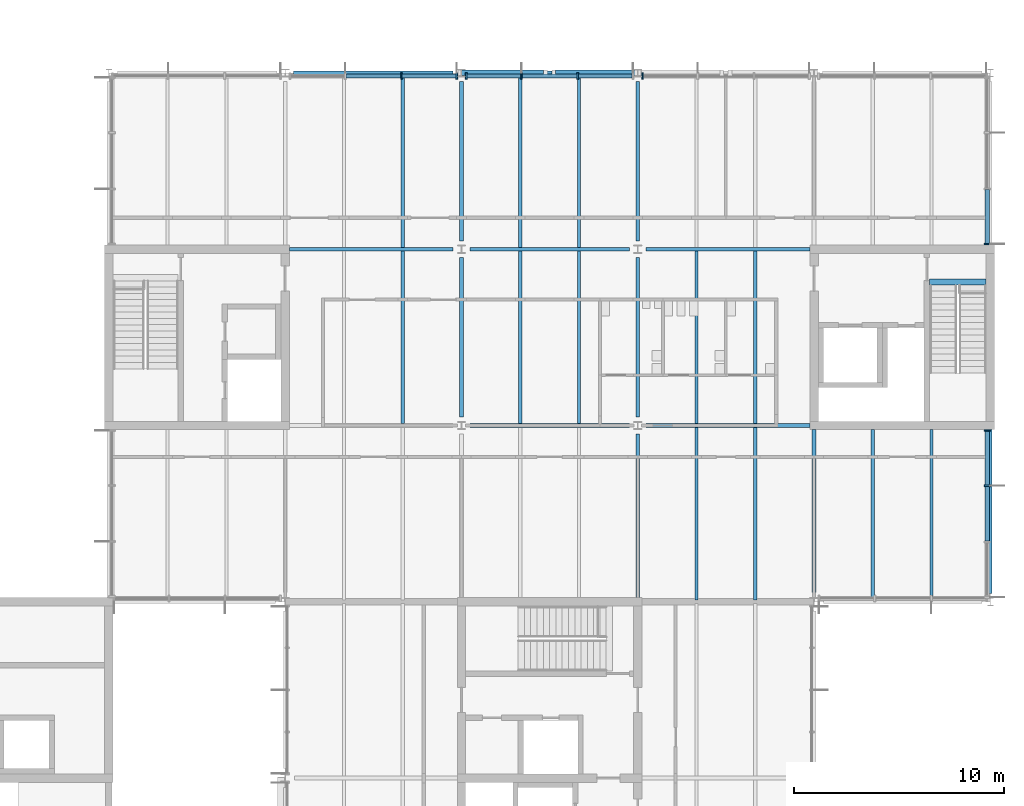
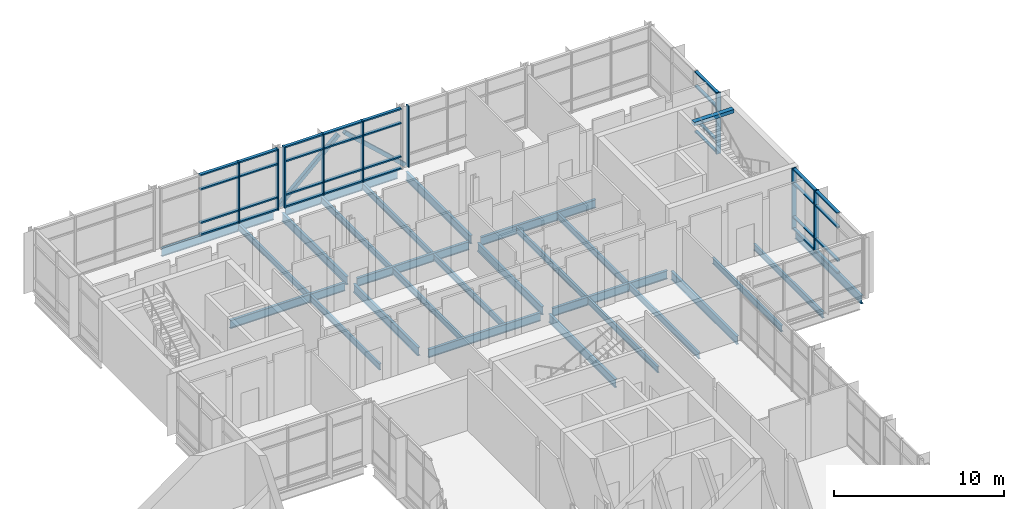
# One storey, part 34 of 89: 43 members, 27 beams, 5 elements without a shape of their own.
"""IFC4 building model written with IfcOpenShell, lengths in metres."""

from ifc_helpers import new_model, si_unit, direction, frame, origin, origin_2d, place, context, subcontext, project, spatial, rectangle, hollow_rectangle, i_section, extrude, material, material_profile, profile_set, type_object, element, aggregate, save


model = new_model("IFC4")

# Units and contexts
model_context = context("Model", 3, precision=1e-05, world=origin(), true_north=direction((0.0, 1.0)))
body_context = subcontext(model_context, "Body", "Model", "MODEL_VIEW")
ifc_project = project(units=[si_unit("LENGTHUNIT", "METRE"), si_unit("AREAUNIT", "SQUARE_METRE"), si_unit("VOLUMEUNIT", "CUBIC_METRE"), si_unit("PLANEANGLEUNIT", "RADIAN"), si_unit("MASSUNIT", "GRAM", prefix="KILO")], contexts=[model_context])

# Site, building, storey
site_placement = place(None, origin())
site = spatial("IfcSite", under=ifc_project, at=site_placement, CompositionType="ELEMENT")
building_placement = place(site_placement, origin())
building = spatial("IfcBuilding", under=site, at=building_placement, Name="Hlaing Beacon Police Headquarters", CompositionType="ELEMENT")
storey_placement = place(building_placement, frame((0.0, 0.0, 9.89990234375)))
storey = spatial("IfcBuildingStorey", under=building, at=storey_placement, Name="L02", CompositionType="ELEMENT", Elevation=9.89990234375)

# Members
ifc_material_1 = material(Name="Steel ASTM A500 Grade C", Category="steel")
ifc_material_profile_1 = material_profile(ifc_material_1, hollow_rectangle(XDim=0.25390625, YDim=0.25390625, WallThickness=0.0126953125, at=origin_2d()), Name="HSS10x10x1/2")
ifc_profile_set_1 = profile_set([ifc_material_profile_1], Name="Steel ASTM A500 Grade C")
member_type_1 = type_object("IfcMemberType", Name="Chevron brace HSS10x10x1/2", PredefinedType="BRACE", material=ifc_profile_set_1)
for number, where, z_axis, x_axis, name in (
    (1, (109.125, 92.39990234375, 0.093994140625), (0.736364351183, 0.0, 0.676585206982), (0.0, 1.0, 0.0), "STR-BR-L02-12Pa"),
    (2, (117.675048828125, 92.39990234375, 0.093994140625), (-0.736364351183, 0.0, 0.676585206982), (0.0, -1.0, 0.0), "STR-BR-L02-12Pb"),
):
    element("IfcMember", number, at=place(storey_placement, frame(where, z_axis=z_axis, x_axis=x_axis)), inside=storey, type_object=member_type_1, Name=name, PredefinedType="BRACE", context=body_context, shape_type="SweptSolid", body=[
        extrude(hollow_rectangle(XDim=0.25390625, YDim=0.25390625, WallThickness=0.0126953125, at=origin_2d()), origin(), (0.0, 0.0, 1.0), 5.533935546875),
    ])

# Beams
ifc_material_2 = material(Name="Steel ASTM A992 Grade 50", Category="steel")
ifc_material_profile_2 = material_profile(ifc_material_2, i_section(OverallWidth=0.177978515625, OverallDepth=0.599365234375, WebThickness=0.010009765625, FlangeThickness=0.012939453125, FilletRadius=0.012939453125, at=origin_2d()), Name="W24x55")
ifc_profile_set_2 = profile_set([ifc_material_profile_2], Name="Steel ASTM A992 Grade 50")
beam_type_1 = type_object("IfcBeamType", Name="Girder W24x55", PredefinedType="BEAM", material=ifc_profile_set_2)
beam_1_placement = place(storey_placement, frame((109.60009765625, 75.60009765625, -0.4296875), z_axis=(1.0, 0.0, 0.0), x_axis=(0.0, 1.0, 0.0)))
element("IfcBeam", 3, at=beam_1_placement, inside=storey, type_object=beam_type_1, Name="STR-BM-L02-GX-P10-Q10", PredefinedType="BEAM", context=body_context, shape_type="SweptSolid", body=[
    extrude(i_section(OverallWidth=0.177978515625, OverallDepth=0.599365234375, WebThickness=0.010009765625, FlangeThickness=0.012939453125, FilletRadius=0.012939453125, at=origin_2d()), origin(), (0.0, 0.0, 1.0), 7.599853515625),
])
for number, where, z_axis, x_axis, name in (
    (4, (118.0, 75.60009765625, -0.4296875), (1.0, 0.0, 0.0), (0.0, 1.0, 0.0), "STR-BM-L02-GX-Q10-R10"),
    (5, (101.0, 84.0, -0.4296875), (1.0, 0.0, 0.0), (0.0, 1.0, 0.0), "STR-BM-L02-GX-N11-P11"),
):
    element("IfcBeam", number, at=place(storey_placement, frame(where, z_axis=z_axis, x_axis=x_axis)), inside=storey, type_object=beam_type_1, Name=name, PredefinedType="BEAM", context=body_context, shape_type="SweptSolid", body=[
        extrude(i_section(OverallWidth=0.177978515625, OverallDepth=0.599365234375, WebThickness=0.010009765625, FlangeThickness=0.012939453125, FilletRadius=0.012939453125, at=origin_2d()), origin(), (0.0, 0.0, 1.0), 7.800048828125),
    ])
beam_2_placement = place(storey_placement, frame((109.60009765625, 84.0, -0.4296875), z_axis=(1.0, 0.0, 0.0), x_axis=(0.0, 1.0, 0.0)))
element("IfcBeam", 6, at=beam_2_placement, inside=storey, type_object=beam_type_1, Name="STR-BM-L02-GX-P11-Q11", PredefinedType="BEAM", context=body_context, shape_type="SweptSolid", body=[
    extrude(i_section(OverallWidth=0.177978515625, OverallDepth=0.599365234375, WebThickness=0.010009765625, FlangeThickness=0.012939453125, FilletRadius=0.012939453125, at=origin_2d()), origin(), (0.0, 0.0, 1.0), 7.599853515625),
])
beam_3_placement = place(storey_placement, frame((118.0, 84.0, -0.4296875), z_axis=(1.0, 0.0, 0.0), x_axis=(0.0, 1.0, 0.0)))
element("IfcBeam", 7, at=beam_3_placement, inside=storey, type_object=beam_type_1, Name="STR-BM-L02-GX-Q11-R11", PredefinedType="BEAM", context=body_context, shape_type="SweptSolid", body=[
    extrude(i_section(OverallWidth=0.177978515625, OverallDepth=0.599365234375, WebThickness=0.010009765625, FlangeThickness=0.012939453125, FilletRadius=0.012939453125, at=origin_2d()), origin(), (0.0, 0.0, 1.0), 7.800048828125),
])
beam_4_placement = place(storey_placement, frame((101.199951171875, 92.39990234375, -0.4296875), z_axis=(1.0, 0.0, 0.0), x_axis=(0.0, 1.0, 0.0)))
element("IfcBeam", 8, at=beam_4_placement, inside=storey, type_object=beam_type_1, Name="STR-BM-L02-GX-N12-P12", PredefinedType="BEAM", context=body_context, shape_type="SweptSolid", body=[
    extrude(i_section(OverallWidth=0.177978515625, OverallDepth=0.599365234375, WebThickness=0.010009765625, FlangeThickness=0.012939453125, FilletRadius=0.012939453125, at=origin_2d()), origin(), (0.0, 0.0, 1.0), 7.60009765625),
])
beam_5_placement = place(storey_placement, frame((109.60009765625, 92.39990234375, -0.4296875), z_axis=(1.0, 0.0, 0.0), x_axis=(0.0, 1.0, 0.0)))
element("IfcBeam", 9, at=beam_5_placement, inside=storey, type_object=beam_type_1, Name="STR-BM-L02-GX-P12-Q12", PredefinedType="BEAM", context=body_context, shape_type="SweptSolid", body=[
    extrude(i_section(OverallWidth=0.177978515625, OverallDepth=0.599365234375, WebThickness=0.010009765625, FlangeThickness=0.012939453125, FilletRadius=0.012939453125, at=origin_2d()), origin(), (0.0, 0.0, 1.0), 7.599853515625),
])
for number, where, z_axis, x_axis, name in (
    (10, (109.199951171875, 76.0, -0.4296875), (0.0, 1.0, 0.0), (-1.0, 0.0, 0.0), "STR-BM-L02-GY-P10-P11"),
    (11, (109.199951171875, 84.39990234375, -0.4296875), (0.0, 1.0, 0.0), (-1.0, 0.0, 0.0), "STR-BM-L02-GY-P11-P12"),
):
    element("IfcBeam", number, at=place(storey_placement, frame(where, z_axis=z_axis, x_axis=x_axis)), inside=storey, type_object=beam_type_1, Name=name, PredefinedType="BEAM", context=body_context, shape_type="SweptSolid", body=[
        extrude(i_section(OverallWidth=0.177978515625, OverallDepth=0.599365234375, WebThickness=0.010009765625, FlangeThickness=0.012939453125, FilletRadius=0.012939453125, at=origin_2d()), origin(), (0.0, 0.0, 1.0), 7.60009765625),
    ])
beam_6_placement = place(storey_placement, frame((117.60009765625, 67.39990234375, -0.4296875), z_axis=(0.0, 1.0, 0.0), x_axis=(-1.0, 0.0, 0.0)))
element("IfcBeam", 12, at=beam_6_placement, inside=storey, type_object=beam_type_1, Name="STR-BM-L02-GY-Q9-Q10", PredefinedType="BEAM", context=body_context, shape_type="SweptSolid", body=[
    extrude(i_section(OverallWidth=0.177978515625, OverallDepth=0.599365234375, WebThickness=0.010009765625, FlangeThickness=0.012939453125, FilletRadius=0.012939453125, at=origin_2d()), origin(), (0.0, 0.0, 1.0), 7.800048828125),
])
for number, where, z_axis, x_axis, name in (
    (13, (117.60009765625, 76.0, -0.4296875), (0.0, 1.0, 0.0), (-1.0, 0.0, 0.0), "STR-BM-L02-GY-Q10-Q11"),
    (14, (117.60009765625, 84.39990234375, -0.4296875), (0.0, 1.0, 0.0), (-1.0, 0.0, 0.0), "STR-BM-L02-GY-Q11-Q12"),
):
    element("IfcBeam", number, at=place(storey_placement, frame(where, z_axis=z_axis, x_axis=x_axis)), inside=storey, type_object=beam_type_1, Name=name, PredefinedType="BEAM", context=body_context, shape_type="SweptSolid", body=[
        extrude(i_section(OverallWidth=0.177978515625, OverallDepth=0.599365234375, WebThickness=0.010009765625, FlangeThickness=0.012939453125, FilletRadius=0.012939453125, at=origin_2d()), origin(), (0.0, 0.0, 1.0), 7.60009765625),
    ])
beam_7_placement = place(storey_placement, frame((126.0, 67.64990234375, -0.4296875), z_axis=(0.0, 1.0, 0.0), x_axis=(-1.0, 0.0, 0.0)))
element("IfcBeam", 15, at=beam_7_placement, inside=storey, type_object=beam_type_1, Name="STR-BM-L02-GY-R9-R10", PredefinedType="BEAM", context=body_context, shape_type="SweptSolid", body=[
    extrude(i_section(OverallWidth=0.177978515625, OverallDepth=0.599365234375, WebThickness=0.010009765625, FlangeThickness=0.012939453125, FilletRadius=0.012939453125, at=origin_2d()), origin(), (0.0, 0.0, 1.0), 7.75),
])
beam_8_placement = place(storey_placement, frame((134.39990234375, 67.60009765625, -0.4296875), z_axis=(0.0, 1.0, 0.0), x_axis=(-1.0, 0.0, 0.0)))
element("IfcBeam", 16, at=beam_8_placement, inside=storey, type_object=beam_type_1, Name="STR-BM-L02-GY-S9-S10", PredefinedType="BEAM", context=body_context, shape_type="SweptSolid", body=[
    extrude(i_section(OverallWidth=0.177978515625, OverallDepth=0.599365234375, WebThickness=0.010009765625, FlangeThickness=0.012939453125, FilletRadius=0.012939453125, at=origin_2d()), origin(), (0.0, 0.0, 1.0), 7.7998046875),
])

# Curtain wall, members
ifc_material_3 = material(Name="Aluminium frame with solar control glazing", Category="aluminium")
curtain_wall_type_1 = type_object("IfcCurtainWallType", Name="Structural glazed gable wall 8.02 x 4.37", PredefinedType="NOTDEFINED", material=ifc_material_3)
curtain_wall_1_placement = place(storey_placement, origin())
curtain_wall_1 = element("IfcCurtainWall", 17, at=curtain_wall_1_placement, inside=storey, type_object=curtain_wall_type_1, Name="ENV-CW-L02-E020", PredefinedType="NOTDEFINED")
ifc_material_4 = material(Name="Aluminium", Category="aluminium")
ifc_material_profile_3 = material_profile(ifc_material_4, rectangle(XDim=0.300048828125, YDim=0.080078125, at=origin_2d()), Name="Mullion 80x300")
ifc_profile_set_3 = profile_set([ifc_material_profile_3], Name="Aluminium")
member_type_2 = type_object("IfcMemberType", Name="Mullion 80x300", PredefinedType="MULLION", material=ifc_profile_set_3)
member_1_placement = place(storey_placement, frame((134.25, 72.725830078125, 0.0), z_axis=(0.0, 0.0, 1.0), x_axis=(-1.0, 0.0, 0.0)))
member_1 = element("IfcMember", 18, at=member_1_placement, type_object=member_type_2, Name="CW-L02-E020 mullion 3", PredefinedType="MULLION", context=body_context, shape_type="SweptSolid", body=[
    extrude(rectangle(XDim=0.300048828125, YDim=0.080078125, at=origin_2d()), origin(), (0.0, 0.0, 1.0), 4.3701171875),
])
member_2_placement = place(storey_placement, frame((134.25, 75.360107421875, 0.0), z_axis=(0.0, 0.0, 1.0), x_axis=(-1.0, 0.0, 0.0)))
member_2 = element("IfcMember", 19, at=member_2_placement, type_object=member_type_2, Name="CW-L02-E020 mullion 4", PredefinedType="MULLION", context=body_context, shape_type="SweptSolid", body=[
    extrude(rectangle(XDim=0.300048828125, YDim=0.080078125, at=origin_2d()), origin(), (0.0, 0.0, 1.0), 4.3701171875),
])

# Curtain wall, member
curtain_wall_2_placement = place(storey_placement, origin())
curtain_wall_2 = element("IfcCurtainWall", 20, at=curtain_wall_2_placement, inside=storey, type_object=curtain_wall_type_1, Name="ENV-CW-L02-E021", PredefinedType="NOTDEFINED")
member_3_placement = place(storey_placement, frame((134.25, 84.239990234375, 0.0), z_axis=(0.0, 0.0, 1.0), x_axis=(-1.0, 0.0, 0.0)))
member_3 = element("IfcMember", 21, at=member_3_placement, type_object=member_type_2, Name="CW-L02-E021 mullion 1", PredefinedType="MULLION", context=body_context, shape_type="SweptSolid", body=[
    extrude(rectangle(XDim=0.300048828125, YDim=0.080078125, at=origin_2d()), origin(), (0.0, 0.0, 1.0), 4.3701171875),
])

ifc_material_5 = material(Name="Aluminium frame with solar control glazing", Category="aluminium")
curtain_wall_type_2 = type_object("IfcCurtainWallType", Name="Structural glazed gable wall 8.03 x 4.37", PredefinedType="NOTDEFINED", material=ifc_material_5)
curtain_wall_3_placement = place(storey_placement, origin())
curtain_wall_3 = element("IfcCurtainWall", 22, at=curtain_wall_3_placement, inside=storey, type_object=curtain_wall_type_2, Name="ENV-CW-L02-N023", PredefinedType="NOTDEFINED")
member_4_placement = place(storey_placement, frame((117.825439453125, 92.25, 0.0), z_axis=(0.0, 0.0, 1.0), x_axis=(0.0, -1.0, 0.0)))
member_4 = element("IfcMember", 23, at=member_4_placement, type_object=member_type_2, Name="CW-L02-N023 mullion 4", PredefinedType="MULLION", context=body_context, shape_type="SweptSolid", body=[
    extrude(rectangle(XDim=0.300048828125, YDim=0.080078125, at=origin_2d()), origin(), (0.0, 0.0, 1.0), 4.3701171875),
])
aggregate(curtain_wall_3, [member_4])

# Curtain wall, members
curtain_wall_4_placement = place(storey_placement, origin())
curtain_wall_4 = element("IfcCurtainWall", 24, at=curtain_wall_4_placement, inside=storey, type_object=curtain_wall_type_2, Name="ENV-CW-L02-N024", PredefinedType="NOTDEFINED")
member_5_placement = place(storey_placement, frame((114.73828125, 92.25, 0.0), z_axis=(0.0, 0.0, 1.0), x_axis=(0.0, -1.0, 0.0)))
member_5 = element("IfcMember", 25, at=member_5_placement, type_object=member_type_2, Name="CW-L02-N024 mullion 2", PredefinedType="MULLION", context=body_context, shape_type="SweptSolid", body=[
    extrude(rectangle(XDim=0.300048828125, YDim=0.080078125, at=origin_2d()), origin(), (0.0, 0.0, 1.0), 4.3701171875),
])
member_6_placement = place(storey_placement, frame((112.061767578125, 92.25, 0.0), z_axis=(0.0, 0.0, 1.0), x_axis=(0.0, -1.0, 0.0)))
member_6 = element("IfcMember", 26, at=member_6_placement, type_object=member_type_2, Name="CW-L02-N024 mullion 3", PredefinedType="MULLION", context=body_context, shape_type="SweptSolid", body=[
    extrude(rectangle(XDim=0.300048828125, YDim=0.080078125, at=origin_2d()), origin(), (0.0, 0.0, 1.0), 4.3701171875),
])
member_7_placement = place(storey_placement, frame((109.42529296875, 92.25, 0.0), z_axis=(0.0, 0.0, 1.0), x_axis=(0.0, -1.0, 0.0)))
member_7 = element("IfcMember", 27, at=member_7_placement, type_object=member_type_2, Name="CW-L02-N024 mullion 4", PredefinedType="MULLION", context=body_context, shape_type="SweptSolid", body=[
    extrude(rectangle(XDim=0.300048828125, YDim=0.080078125, at=origin_2d()), origin(), (0.0, 0.0, 1.0), 4.3701171875),
])

curtain_wall_5_placement = place(storey_placement, origin())
curtain_wall_5 = element("IfcCurtainWall", 28, at=curtain_wall_5_placement, inside=storey, type_object=curtain_wall_type_2, Name="ENV-CW-L02-N025", PredefinedType="NOTDEFINED")
member_8_placement = place(storey_placement, frame((108.974609375, 92.25, 0.0), z_axis=(0.0, 0.0, 1.0), x_axis=(0.0, -1.0, 0.0)))
member_8 = element("IfcMember", 29, at=member_8_placement, type_object=member_type_2, Name="CW-L02-N025 mullion 1", PredefinedType="MULLION", context=body_context, shape_type="SweptSolid", body=[
    extrude(rectangle(XDim=0.300048828125, YDim=0.080078125, at=origin_2d()), origin(), (0.0, 0.0, 1.0), 4.3701171875),
])
member_9_placement = place(storey_placement, frame((106.337646484375, 92.25, 0.0), z_axis=(0.0, 0.0, 1.0), x_axis=(0.0, -1.0, 0.0)))
member_9 = element("IfcMember", 30, at=member_9_placement, type_object=member_type_2, Name="CW-L02-N025 mullion 2", PredefinedType="MULLION", context=body_context, shape_type="SweptSolid", body=[
    extrude(rectangle(XDim=0.300048828125, YDim=0.080078125, at=origin_2d()), origin(), (0.0, 0.0, 1.0), 4.3701171875),
])

# Beams
ifc_material_6 = material(Name="Steel ASTM A992 Grade 50", Category="steel")
ifc_material_profile_4 = material_profile(ifc_material_6, i_section(OverallWidth=0.15234375, OverallDepth=0.449462890625, WebThickness=0.007568359375, FlangeThickness=0.0107421875, FilletRadius=0.01025390625, at=origin_2d()), Name="W18x35")
ifc_profile_set_4 = profile_set([ifc_material_profile_4], Name="Steel ASTM A992 Grade 50")
beam_type_2 = type_object("IfcBeamType", Name="Secondary beam W18x35", PredefinedType="BEAM", material=ifc_profile_set_4)
for number, where, z_axis, x_axis, name in (
    (31, (106.39990234375, 75.68896484375, -0.354736328125), (0.0, 1.0, 0.0), (-1.0, 0.0, 0.0), "STR-BM-L02-SB-N10-y2"),
    (32, (106.39990234375, 84.089111328125, -0.354736328125), (0.0, 1.0, 0.0), (-1.0, 0.0, 0.0), "STR-BM-L02-SB-N11-y2"),
    (33, (112.0, 75.68896484375, -0.354736328125), (0.0, 1.0, 0.0), (-1.0, 0.0, 0.0), "STR-BM-L02-SB-P10-y1"),
    (34, (114.800048828125, 75.68896484375, -0.354736328125), (0.0, 1.0, 0.0), (-1.0, 0.0, 0.0), "STR-BM-L02-SB-P10-y2"),
    (35, (112.0, 84.089111328125, -0.354736328125), (0.0, 1.0, 0.0), (-1.0, 0.0, 0.0), "STR-BM-L02-SB-P11-y1"),
    (36, (114.800048828125, 84.089111328125, -0.354736328125), (0.0, 1.0, 0.0), (-1.0, 0.0, 0.0), "STR-BM-L02-SB-P11-y2"),
    (37, (120.39990234375, 67.2890625, -0.354736328125), (0.0, 1.0, 0.0), (-1.0, 0.0, 0.0), "STR-BM-L02-SB-Q9-y1"),
    (38, (123.199951171875, 67.2890625, -0.354736328125), (0.0, 1.0, 0.0), (-1.0, 0.0, 0.0), "STR-BM-L02-SB-Q9-y2"),
    (39, (120.39990234375, 75.68896484375, -0.354736328125), (0.0, 1.0, 0.0), (-1.0, 0.0, 0.0), "STR-BM-L02-SB-Q10-y1"),
    (40, (123.199951171875, 75.68896484375, -0.354736328125), (0.0, 1.0, 0.0), (-1.0, 0.0, 0.0), "STR-BM-L02-SB-Q10-y2"),
):
    element("IfcBeam", number, at=place(storey_placement, frame(where, z_axis=z_axis, x_axis=x_axis)), inside=storey, type_object=beam_type_2, Name=name, PredefinedType="BEAM", context=body_context, shape_type="SweptSolid", body=[
        extrude(i_section(OverallWidth=0.15234375, OverallDepth=0.449462890625, WebThickness=0.007568359375, FlangeThickness=0.0107421875, FilletRadius=0.01025390625, at=origin_2d()), origin(), (0.0, 0.0, 1.0), 8.221923828125),
    ])
for number, where, z_axis, x_axis, name in (
    (41, (128.800048828125, 67.2890625, -0.354736328125), (0.0, 1.0, 0.0), (-1.0, 0.0, 0.0), "STR-BM-L02-SB-R9-y1"),
    (42, (131.60009765625, 67.2890625, -0.354736328125), (0.0, 1.0, 0.0), (-1.0, 0.0, 0.0), "STR-BM-L02-SB-R9-y2"),
):
    element("IfcBeam", number, at=place(storey_placement, frame(where, z_axis=z_axis, x_axis=x_axis)), inside=storey, type_object=beam_type_2, Name=name, PredefinedType="BEAM", context=body_context, shape_type="SweptSolid", body=[
        extrude(i_section(OverallWidth=0.15234375, OverallDepth=0.449462890625, WebThickness=0.007568359375, FlangeThickness=0.0107421875, FilletRadius=0.01025390625, at=origin_2d()), origin(), (0.0, 0.0, 1.0), 8.11083984375),
    ])
ifc_material_7 = material(Name="Concrete C40/50", Category="concrete")
ifc_material_profile_5 = material_profile(ifc_material_7, rectangle(XDim=0.300048828125, YDim=0.25, at=origin_2d()), Name="Stair arrival beam 300x250")
ifc_profile_set_5 = profile_set([ifc_material_profile_5], Name="Concrete C40/50")
beam_type_3 = type_object("IfcBeamType", Name="Stair arrival beam 300x250", PredefinedType="BEAM", material=ifc_profile_set_5)
beam_9_placement = place(storey_placement, frame((134.199951171875, 82.43994140625, 4.2451171875), z_axis=(-1.0, 0.0, 0.0), x_axis=(0.0, -1.0, 0.0)))
element("IfcBeam", 43, at=beam_9_placement, inside=storey, type_object=beam_type_3, Name="Stair arrival beam ST-R", PredefinedType="BEAM", context=body_context, shape_type="SweptSolid", body=[
    extrude(rectangle(XDim=0.300048828125, YDim=0.25, at=origin_2d()), origin(), (0.0, 0.0, 1.0), 2.699951171875),
])

# Member
ifc_material_8 = material(Name="Aluminium", Category="aluminium")
ifc_material_profile_6 = material_profile(ifc_material_8, rectangle(XDim=0.199951171875, YDim=0.10009765625, at=origin_2d()), Name="Transom 200x100")
ifc_profile_set_6 = profile_set([ifc_material_profile_6], Name="Aluminium")
member_type_3 = type_object("IfcMemberType", Name="Transom 200x100", PredefinedType="USERDEFINED", material=ifc_profile_set_6)
member_10_placement = place(storey_placement, frame((134.25, 70.091796875, 0.050048828125), z_axis=(0.0, 1.0, 0.0), x_axis=(-1.0, 0.0, 0.0)))
member_10 = element("IfcMember", 44, at=member_10_placement, type_object=member_type_3, Name="CW-L02-E020 transom 2.1", ObjectType="TRANSOM", PredefinedType="USERDEFINED", context=body_context, shape_type="SweptSolid", body=[
    extrude(rectangle(XDim=0.199951171875, YDim=0.10009765625, at=origin_2d()), origin(), (0.0, 0.0, 1.0), 2.59423828125),
])

member_11_placement = place(storey_placement, frame((134.25, 70.091796875, 0.900146484375), z_axis=(0.0, 1.0, 0.0), x_axis=(-1.0, 0.0, 0.0)))
member_11 = element("IfcMember", 45, at=member_11_placement, type_object=member_type_3, Name="CW-L02-E020 transom 2.2", ObjectType="TRANSOM", PredefinedType="USERDEFINED", context=body_context, shape_type="SweptSolid", body=[
    extrude(rectangle(XDim=0.199951171875, YDim=0.10009765625, at=origin_2d()), origin(), (0.0, 0.0, 1.0), 2.59423828125),
])

member_12_placement = place(storey_placement, frame((134.25, 70.091796875, 3.300048828125), z_axis=(0.0, 1.0, 0.0), x_axis=(-1.0, 0.0, 0.0)))
member_12 = element("IfcMember", 46, at=member_12_placement, type_object=member_type_3, Name="CW-L02-E020 transom 2.3", ObjectType="TRANSOM", PredefinedType="USERDEFINED", context=body_context, shape_type="SweptSolid", body=[
    extrude(rectangle(XDim=0.199951171875, YDim=0.10009765625, at=origin_2d()), origin(), (0.0, 0.0, 1.0), 2.59423828125),
])

member_13_placement = place(storey_placement, frame((134.25, 70.091796875, 4.320068359375), z_axis=(0.0, 1.0, 0.0), x_axis=(-1.0, 0.0, 0.0)))
member_13 = element("IfcMember", 47, at=member_13_placement, type_object=member_type_3, Name="CW-L02-E020 transom 2.4", ObjectType="TRANSOM", PredefinedType="USERDEFINED", context=body_context, shape_type="SweptSolid", body=[
    extrude(rectangle(XDim=0.199951171875, YDim=0.10009765625, at=origin_2d()), origin(), (0.0, 0.0, 1.0), 2.59423828125),
])

member_14_placement = place(storey_placement, frame((134.25, 72.765869140625, 0.050048828125), z_axis=(0.0, 1.0, 0.0), x_axis=(-1.0, 0.0, 0.0)))
member_14 = element("IfcMember", 48, at=member_14_placement, type_object=member_type_3, Name="CW-L02-E020 transom 3.1", ObjectType="TRANSOM", PredefinedType="USERDEFINED", context=body_context, shape_type="SweptSolid", body=[
    extrude(rectangle(XDim=0.199951171875, YDim=0.10009765625, at=origin_2d()), origin(), (0.0, 0.0, 1.0), 2.55419921875),
])

member_15_placement = place(storey_placement, frame((134.25, 72.765869140625, 0.900146484375), z_axis=(0.0, 1.0, 0.0), x_axis=(-1.0, 0.0, 0.0)))
member_15 = element("IfcMember", 49, at=member_15_placement, type_object=member_type_3, Name="CW-L02-E020 transom 3.2", ObjectType="TRANSOM", PredefinedType="USERDEFINED", context=body_context, shape_type="SweptSolid", body=[
    extrude(rectangle(XDim=0.199951171875, YDim=0.10009765625, at=origin_2d()), origin(), (0.0, 0.0, 1.0), 2.55419921875),
])

member_16_placement = place(storey_placement, frame((134.25, 72.765869140625, 3.300048828125), z_axis=(0.0, 1.0, 0.0), x_axis=(-1.0, 0.0, 0.0)))
member_16 = element("IfcMember", 50, at=member_16_placement, type_object=member_type_3, Name="CW-L02-E020 transom 3.3", ObjectType="TRANSOM", PredefinedType="USERDEFINED", context=body_context, shape_type="SweptSolid", body=[
    extrude(rectangle(XDim=0.199951171875, YDim=0.10009765625, at=origin_2d()), origin(), (0.0, 0.0, 1.0), 2.55419921875),
])

member_17_placement = place(storey_placement, frame((134.25, 72.765869140625, 4.320068359375), z_axis=(0.0, 1.0, 0.0), x_axis=(-1.0, 0.0, 0.0)))
member_17 = element("IfcMember", 51, at=member_17_placement, type_object=member_type_3, Name="CW-L02-E020 transom 3.4", ObjectType="TRANSOM", PredefinedType="USERDEFINED", context=body_context, shape_type="SweptSolid", body=[
    extrude(rectangle(XDim=0.199951171875, YDim=0.10009765625, at=origin_2d()), origin(), (0.0, 0.0, 1.0), 2.55419921875),
])

aggregate(curtain_wall_1, [member_1, member_2, member_10, member_11, member_12, member_13, member_14, member_15, member_16, member_17])

member_18_placement = place(storey_placement, frame((134.25, 84.280029296875, 0.050048828125), z_axis=(0.0, 1.0, 0.0), x_axis=(-1.0, 0.0, 0.0)))
member_18 = element("IfcMember", 52, at=member_18_placement, type_object=member_type_3, Name="CW-L02-E021 transom 1.1", ObjectType="TRANSOM", PredefinedType="USERDEFINED", context=body_context, shape_type="SweptSolid", body=[
    extrude(rectangle(XDim=0.199951171875, YDim=0.10009765625, at=origin_2d()), origin(), (0.0, 0.0, 1.0), 2.553955078125),
])

member_19_placement = place(storey_placement, frame((134.25, 84.280029296875, 0.900146484375), z_axis=(0.0, 1.0, 0.0), x_axis=(-1.0, 0.0, 0.0)))
member_19 = element("IfcMember", 53, at=member_19_placement, type_object=member_type_3, Name="CW-L02-E021 transom 1.2", ObjectType="TRANSOM", PredefinedType="USERDEFINED", context=body_context, shape_type="SweptSolid", body=[
    extrude(rectangle(XDim=0.199951171875, YDim=0.10009765625, at=origin_2d()), origin(), (0.0, 0.0, 1.0), 2.553955078125),
])

member_20_placement = place(storey_placement, frame((134.25, 84.280029296875, 3.300048828125), z_axis=(0.0, 1.0, 0.0), x_axis=(-1.0, 0.0, 0.0)))
member_20 = element("IfcMember", 54, at=member_20_placement, type_object=member_type_3, Name="CW-L02-E021 transom 1.3", ObjectType="TRANSOM", PredefinedType="USERDEFINED", context=body_context, shape_type="SweptSolid", body=[
    extrude(rectangle(XDim=0.199951171875, YDim=0.10009765625, at=origin_2d()), origin(), (0.0, 0.0, 1.0), 2.553955078125),
])

member_21_placement = place(storey_placement, frame((134.25, 84.280029296875, 4.320068359375), z_axis=(0.0, 1.0, 0.0), x_axis=(-1.0, 0.0, 0.0)))
member_21 = element("IfcMember", 55, at=member_21_placement, type_object=member_type_3, Name="CW-L02-E021 transom 1.4", ObjectType="TRANSOM", PredefinedType="USERDEFINED", context=body_context, shape_type="SweptSolid", body=[
    extrude(rectangle(XDim=0.199951171875, YDim=0.10009765625, at=origin_2d()), origin(), (0.0, 0.0, 1.0), 2.553955078125),
])

aggregate(curtain_wall_2, [member_3, member_18, member_19, member_20, member_21])

member_22_placement = place(storey_placement, frame((117.334716796875, 92.25, 0.050048828125), z_axis=(-1.0, 0.0, 0.0), x_axis=(0.0, -1.0, 0.0)))
member_22 = element("IfcMember", 56, at=member_22_placement, type_object=member_type_3, Name="CW-L02-N024 transom 1.1", ObjectType="TRANSOM", PredefinedType="USERDEFINED", context=body_context, shape_type="SweptSolid", body=[
    extrude(rectangle(XDim=0.199951171875, YDim=0.10009765625, at=origin_2d()), origin(), (0.0, 0.0, 1.0), 2.556396484375),
])

member_23_placement = place(storey_placement, frame((117.334716796875, 92.25, 0.900146484375), z_axis=(-1.0, 0.0, 0.0), x_axis=(0.0, -1.0, 0.0)))
member_23 = element("IfcMember", 57, at=member_23_placement, type_object=member_type_3, Name="CW-L02-N024 transom 1.2", ObjectType="TRANSOM", PredefinedType="USERDEFINED", context=body_context, shape_type="SweptSolid", body=[
    extrude(rectangle(XDim=0.199951171875, YDim=0.10009765625, at=origin_2d()), origin(), (0.0, 0.0, 1.0), 2.556396484375),
])

member_24_placement = place(storey_placement, frame((117.334716796875, 92.25, 3.300048828125), z_axis=(-1.0, 0.0, 0.0), x_axis=(0.0, -1.0, 0.0)))
member_24 = element("IfcMember", 58, at=member_24_placement, type_object=member_type_3, Name="CW-L02-N024 transom 1.3", ObjectType="TRANSOM", PredefinedType="USERDEFINED", context=body_context, shape_type="SweptSolid", body=[
    extrude(rectangle(XDim=0.199951171875, YDim=0.10009765625, at=origin_2d()), origin(), (0.0, 0.0, 1.0), 2.556396484375),
])

member_25_placement = place(storey_placement, frame((117.334716796875, 92.25, 4.320068359375), z_axis=(-1.0, 0.0, 0.0), x_axis=(0.0, -1.0, 0.0)))
member_25 = element("IfcMember", 59, at=member_25_placement, type_object=member_type_3, Name="CW-L02-N024 transom 1.4", ObjectType="TRANSOM", PredefinedType="USERDEFINED", context=body_context, shape_type="SweptSolid", body=[
    extrude(rectangle(XDim=0.199951171875, YDim=0.10009765625, at=origin_2d()), origin(), (0.0, 0.0, 1.0), 2.556396484375),
])

member_26_placement = place(storey_placement, frame((114.6982421875, 92.25, 0.050048828125), z_axis=(-1.0, 0.0, 0.0), x_axis=(0.0, -1.0, 0.0)))
member_26 = element("IfcMember", 60, at=member_26_placement, type_object=member_type_3, Name="CW-L02-N024 transom 2.1", ObjectType="TRANSOM", PredefinedType="USERDEFINED", context=body_context, shape_type="SweptSolid", body=[
    extrude(rectangle(XDim=0.199951171875, YDim=0.10009765625, at=origin_2d()), origin(), (0.0, 0.0, 1.0), 2.596435546875),
])

member_27_placement = place(storey_placement, frame((114.6982421875, 92.25, 0.900146484375), z_axis=(-1.0, 0.0, 0.0), x_axis=(0.0, -1.0, 0.0)))
member_27 = element("IfcMember", 61, at=member_27_placement, type_object=member_type_3, Name="CW-L02-N024 transom 2.2", ObjectType="TRANSOM", PredefinedType="USERDEFINED", context=body_context, shape_type="SweptSolid", body=[
    extrude(rectangle(XDim=0.199951171875, YDim=0.10009765625, at=origin_2d()), origin(), (0.0, 0.0, 1.0), 2.596435546875),
])

member_28_placement = place(storey_placement, frame((114.6982421875, 92.25, 3.300048828125), z_axis=(-1.0, 0.0, 0.0), x_axis=(0.0, -1.0, 0.0)))
member_28 = element("IfcMember", 62, at=member_28_placement, type_object=member_type_3, Name="CW-L02-N024 transom 2.3", ObjectType="TRANSOM", PredefinedType="USERDEFINED", context=body_context, shape_type="SweptSolid", body=[
    extrude(rectangle(XDim=0.199951171875, YDim=0.10009765625, at=origin_2d()), origin(), (0.0, 0.0, 1.0), 2.596435546875),
])

member_29_placement = place(storey_placement, frame((114.6982421875, 92.25, 4.320068359375), z_axis=(-1.0, 0.0, 0.0), x_axis=(0.0, -1.0, 0.0)))
member_29 = element("IfcMember", 63, at=member_29_placement, type_object=member_type_3, Name="CW-L02-N024 transom 2.4", ObjectType="TRANSOM", PredefinedType="USERDEFINED", context=body_context, shape_type="SweptSolid", body=[
    extrude(rectangle(XDim=0.199951171875, YDim=0.10009765625, at=origin_2d()), origin(), (0.0, 0.0, 1.0), 2.596435546875),
])

member_30_placement = place(storey_placement, frame((112.021728515625, 92.25, 0.050048828125), z_axis=(-1.0, 0.0, 0.0), x_axis=(0.0, -1.0, 0.0)))
member_30 = element("IfcMember", 64, at=member_30_placement, type_object=member_type_3, Name="CW-L02-N024 transom 3.1", ObjectType="TRANSOM", PredefinedType="USERDEFINED", context=body_context, shape_type="SweptSolid", body=[
    extrude(rectangle(XDim=0.199951171875, YDim=0.10009765625, at=origin_2d()), origin(), (0.0, 0.0, 1.0), 2.556396484375),
])

member_31_placement = place(storey_placement, frame((112.021728515625, 92.25, 0.900146484375), z_axis=(-1.0, 0.0, 0.0), x_axis=(0.0, -1.0, 0.0)))
member_31 = element("IfcMember", 65, at=member_31_placement, type_object=member_type_3, Name="CW-L02-N024 transom 3.2", ObjectType="TRANSOM", PredefinedType="USERDEFINED", context=body_context, shape_type="SweptSolid", body=[
    extrude(rectangle(XDim=0.199951171875, YDim=0.10009765625, at=origin_2d()), origin(), (0.0, 0.0, 1.0), 2.556396484375),
])

member_32_placement = place(storey_placement, frame((112.021728515625, 92.25, 3.300048828125), z_axis=(-1.0, 0.0, 0.0), x_axis=(0.0, -1.0, 0.0)))
member_32 = element("IfcMember", 66, at=member_32_placement, type_object=member_type_3, Name="CW-L02-N024 transom 3.3", ObjectType="TRANSOM", PredefinedType="USERDEFINED", context=body_context, shape_type="SweptSolid", body=[
    extrude(rectangle(XDim=0.199951171875, YDim=0.10009765625, at=origin_2d()), origin(), (0.0, 0.0, 1.0), 2.556396484375),
])

member_33_placement = place(storey_placement, frame((112.021728515625, 92.25, 4.320068359375), z_axis=(-1.0, 0.0, 0.0), x_axis=(0.0, -1.0, 0.0)))
member_33 = element("IfcMember", 67, at=member_33_placement, type_object=member_type_3, Name="CW-L02-N024 transom 3.4", ObjectType="TRANSOM", PredefinedType="USERDEFINED", context=body_context, shape_type="SweptSolid", body=[
    extrude(rectangle(XDim=0.199951171875, YDim=0.10009765625, at=origin_2d()), origin(), (0.0, 0.0, 1.0), 2.556396484375),
])

aggregate(curtain_wall_4, [member_5, member_6, member_7, member_22, member_23, member_24, member_25, member_26, member_27, member_28, member_29, member_30, member_31, member_32, member_33])

member_34_placement = place(storey_placement, frame((108.9345703125, 92.25, 0.050048828125), z_axis=(-1.0, 0.0, 0.0), x_axis=(0.0, -1.0, 0.0)))
member_34 = element("IfcMember", 68, at=member_34_placement, type_object=member_type_3, Name="CW-L02-N025 transom 1.1", ObjectType="TRANSOM", PredefinedType="USERDEFINED", context=body_context, shape_type="SweptSolid", body=[
    extrude(rectangle(XDim=0.199951171875, YDim=0.10009765625, at=origin_2d()), origin(), (0.0, 0.0, 1.0), 2.556884765625),
])

member_35_placement = place(storey_placement, frame((108.9345703125, 92.25, 0.900146484375), z_axis=(-1.0, 0.0, 0.0), x_axis=(0.0, -1.0, 0.0)))
member_35 = element("IfcMember", 69, at=member_35_placement, type_object=member_type_3, Name="CW-L02-N025 transom 1.2", ObjectType="TRANSOM", PredefinedType="USERDEFINED", context=body_context, shape_type="SweptSolid", body=[
    extrude(rectangle(XDim=0.199951171875, YDim=0.10009765625, at=origin_2d()), origin(), (0.0, 0.0, 1.0), 2.556884765625),
])

member_36_placement = place(storey_placement, frame((108.9345703125, 92.25, 3.300048828125), z_axis=(-1.0, 0.0, 0.0), x_axis=(0.0, -1.0, 0.0)))
member_36 = element("IfcMember", 70, at=member_36_placement, type_object=member_type_3, Name="CW-L02-N025 transom 1.3", ObjectType="TRANSOM", PredefinedType="USERDEFINED", context=body_context, shape_type="SweptSolid", body=[
    extrude(rectangle(XDim=0.199951171875, YDim=0.10009765625, at=origin_2d()), origin(), (0.0, 0.0, 1.0), 2.556884765625),
])

member_37_placement = place(storey_placement, frame((108.9345703125, 92.25, 4.320068359375), z_axis=(-1.0, 0.0, 0.0), x_axis=(0.0, -1.0, 0.0)))
member_37 = element("IfcMember", 71, at=member_37_placement, type_object=member_type_3, Name="CW-L02-N025 transom 1.4", ObjectType="TRANSOM", PredefinedType="USERDEFINED", context=body_context, shape_type="SweptSolid", body=[
    extrude(rectangle(XDim=0.199951171875, YDim=0.10009765625, at=origin_2d()), origin(), (0.0, 0.0, 1.0), 2.556884765625),
])

member_38_placement = place(storey_placement, frame((106.2978515625, 92.25, 0.050048828125), z_axis=(-1.0, 0.0, 0.0), x_axis=(0.0, -1.0, 0.0)))
member_38 = element("IfcMember", 72, at=member_38_placement, type_object=member_type_3, Name="CW-L02-N025 transom 2.1", ObjectType="TRANSOM", PredefinedType="USERDEFINED", context=body_context, shape_type="SweptSolid", body=[
    extrude(rectangle(XDim=0.199951171875, YDim=0.10009765625, at=origin_2d()), origin(), (0.0, 0.0, 1.0), 2.596923828125),
])

member_39_placement = place(storey_placement, frame((106.2978515625, 92.25, 0.900146484375), z_axis=(-1.0, 0.0, 0.0), x_axis=(0.0, -1.0, 0.0)))
member_39 = element("IfcMember", 73, at=member_39_placement, type_object=member_type_3, Name="CW-L02-N025 transom 2.2", ObjectType="TRANSOM", PredefinedType="USERDEFINED", context=body_context, shape_type="SweptSolid", body=[
    extrude(rectangle(XDim=0.199951171875, YDim=0.10009765625, at=origin_2d()), origin(), (0.0, 0.0, 1.0), 2.596923828125),
])

member_40_placement = place(storey_placement, frame((106.2978515625, 92.25, 3.300048828125), z_axis=(-1.0, 0.0, 0.0), x_axis=(0.0, -1.0, 0.0)))
member_40 = element("IfcMember", 74, at=member_40_placement, type_object=member_type_3, Name="CW-L02-N025 transom 2.3", ObjectType="TRANSOM", PredefinedType="USERDEFINED", context=body_context, shape_type="SweptSolid", body=[
    extrude(rectangle(XDim=0.199951171875, YDim=0.10009765625, at=origin_2d()), origin(), (0.0, 0.0, 1.0), 2.596923828125),
])

member_41_placement = place(storey_placement, frame((106.2978515625, 92.25, 4.320068359375), z_axis=(-1.0, 0.0, 0.0), x_axis=(0.0, -1.0, 0.0)))
member_41 = element("IfcMember", 75, at=member_41_placement, type_object=member_type_3, Name="CW-L02-N025 transom 2.4", ObjectType="TRANSOM", PredefinedType="USERDEFINED", context=body_context, shape_type="SweptSolid", body=[
    extrude(rectangle(XDim=0.199951171875, YDim=0.10009765625, at=origin_2d()), origin(), (0.0, 0.0, 1.0), 2.596923828125),
])

aggregate(curtain_wall_5, [member_8, member_9, member_34, member_35, member_36, member_37, member_38, member_39, member_40, member_41])

save(model, "model.ifc")
